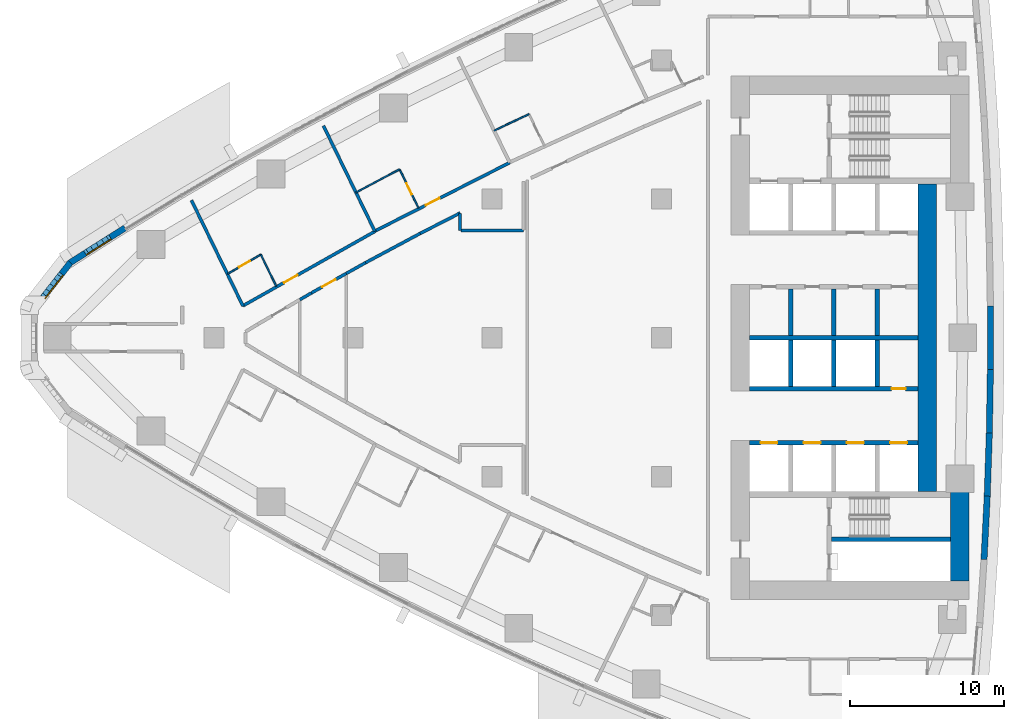
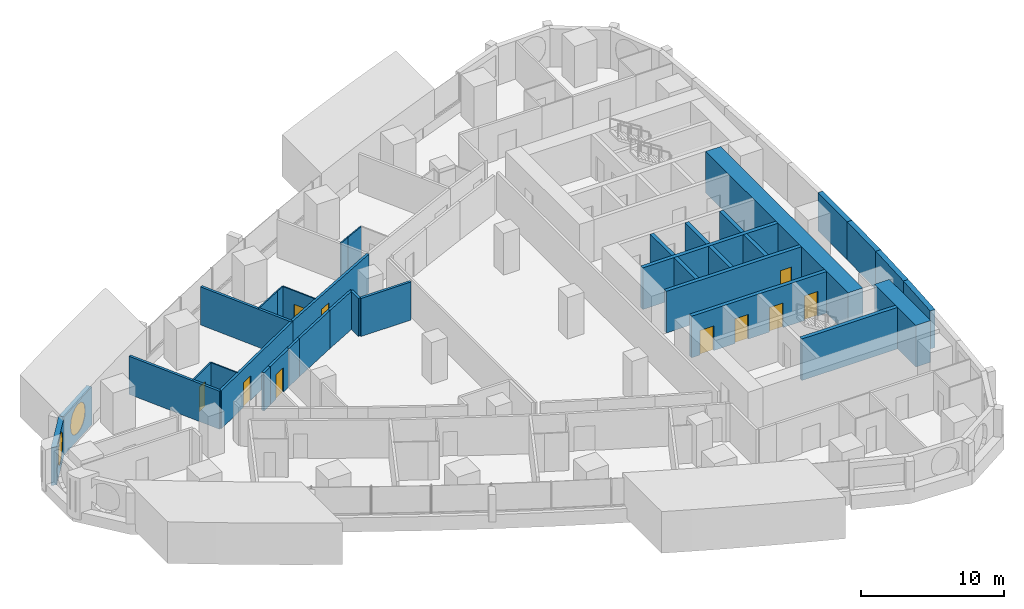
# One storey, part 11 of 18: 36 walls, 10 doors, 2 windows, 12 openings.
"""IFC4 building model written with IfcOpenShell, lengths in metres."""

from ifc_helpers import new_model, si_unit, direction, frame, frame_2d, origin, place, context, subcontext, project, spatial, polyline, rectangle, outline, extrude, material, layer, layer_set, type_object, element, fill, save


model = new_model("IFC4")

# Units and contexts
model_context = context("Model", 3, precision=1e-05, world=origin(), true_north=direction((0.0, 1.0)))
body_context = subcontext(model_context, "Body", "Model", "MODEL_VIEW")
ifc_project = project(units=[si_unit("LENGTHUNIT", "METRE"), si_unit("AREAUNIT", "SQUARE_METRE"), si_unit("VOLUMEUNIT", "CUBIC_METRE"), si_unit("PLANEANGLEUNIT", "RADIAN"), si_unit("MASSUNIT", "GRAM", prefix="KILO")], contexts=[model_context])

# Site, building, storey
site_placement = place(None, origin())
site = spatial("IfcSite", under=ifc_project, at=site_placement, CompositionType="ELEMENT")
building_placement = place(site_placement, origin())
building = spatial("IfcBuilding", under=site, at=building_placement, Name="Ostrand Prow Hotel Tower", CompositionType="ELEMENT")
storey_placement = place(building_placement, frame((0.0, 0.0, 57.35009765625)))
storey = spatial("IfcBuildingStorey", under=building, at=storey_placement, Name="L12", CompositionType="ELEMENT", Elevation=57.35009765625)

# Walls
ifc_material_1 = material(Name="Concrete C80/95", Category="concrete")
ifc_layer_1 = layer(ifc_material_1, 1.199951171875)
ifc_layer_set_1 = layer_set([ifc_layer_1], Name="Concrete C80/95")
wall_type_1 = type_object("IfcWallType", Name="Core wall 1200 C80/95", PredefinedType="SHEAR", material=ifc_layer_set_1)
wall_1_placement = place(storey_placement, frame((64.320068359375, -15.75, 0.0), z_axis=(0.0, 0.0, 1.0), x_axis=(0.0, 1.0, 0.0)))
element("IfcWall", 1, at=wall_1_placement, inside=storey, type_object=wall_type_1, Name="Core wall CW-E-S", PredefinedType="SHEAR", context=body_context, shape_type="SweptSolid", body=[
    extrude(rectangle(XDim=5.800048828125, YDim=1.199951171875, at=frame_2d((2.89990234375, 0.0))), origin(), (0.0, 0.0, 1.0), 3.5498046875),
])
wall_2_placement = place(storey_placement, frame((62.199951171875, -9.949951171875, 0.0), z_axis=(0.0, 0.0, 1.0), x_axis=(0.0, 1.0, 0.0)))
element("IfcWall", 2, at=wall_2_placement, inside=storey, type_object=wall_type_1, Name="Core wall CW-E-C", PredefinedType="SHEAR", context=body_context, shape_type="SweptSolid", body=[
    extrude(rectangle(XDim=19.89990234375, YDim=1.199951171875, at=frame_2d((9.949951171875, 0.0))), origin(), (0.0, 0.0, 1.0), 3.5498046875),
])
ifc_material_2 = material(Name="Concrete C80/95", Category="concrete")
ifc_layer_2 = layer(ifc_material_2, 0.300048828125)
ifc_layer_set_2 = layer_set([ifc_layer_2], Name="Concrete C80/95")
wall_type_2 = type_object("IfcWallType", Name="Core wall 300 C80/95", PredefinedType="SHEAR", material=ifc_layer_set_2)
wall_3_placement = place(storey_placement, frame((50.699951171875, 0.0, 0.0), z_axis=(0.0, 0.0, 1.0), x_axis=(1.0, 0.0, 0.0)))
element("IfcWall", 3, at=wall_3_placement, inside=storey, type_object=wall_type_2, Name="Core wall PW-C", PredefinedType="SHEAR", context=body_context, shape_type="SweptSolid", body=[
    extrude(rectangle(XDim=10.900146484375, YDim=0.300048828125, at=frame_2d((5.4501953125, 0.0))), origin(), (0.0, 0.0, 1.0), 3.5498046875),
])
for number, where, z_axis, x_axis, name in (
    (4, (53.35009765625, 0.14990234375, 0.0), (0.0, 0.0, 1.0), (0.0, 1.0, 0.0), "Core wall PW-R1-NB"),
    (5, (56.14990234375, 0.14990234375, 0.0), (0.0, 0.0, 1.0), (0.0, 1.0, 0.0), "Core wall PW-R2-NB"),
    (6, (58.949951171875, 0.14990234375, 0.0), (0.0, 0.0, 1.0), (0.0, 1.0, 0.0), "Core wall PW-R3-NB"),
):
    element("IfcWall", number, at=place(storey_placement, frame(where, z_axis=z_axis, x_axis=x_axis)), inside=storey, type_object=wall_type_2, Name=name, PredefinedType="SHEAR", context=body_context, shape_type="SweptSolid", body=[
        extrude(rectangle(XDim=3.0, YDim=0.300048828125, at=frame_2d((1.5, 0.0))), origin(), (0.0, 0.0, 1.0), 3.5498046875),
    ])

# Wall, opening, door
wall_4_placement = place(storey_placement, frame((50.699951171875, -3.300048828125, 0.0), z_axis=(0.0, 0.0, 1.0), x_axis=(1.0, 0.0, 0.0)))
wall_4 = element("IfcWall", 7, at=wall_4_placement, inside=storey, type_object=wall_type_2, Name="Core wall PW-L1-S", PredefinedType="SHEAR", context=body_context, shape_type="SweptSolid", body=[
    extrude(rectangle(XDim=10.900146484375, YDim=0.300048828125, at=frame_2d((5.4501953125, 0.0))), origin(), (0.0, 0.0, 1.0), 3.5498046875),
])
opening_1_placement = place(wall_4_placement, frame((9.199951171875, 0.0, 0.0)))
opening_1 = element("IfcOpeningElement", 8, at=opening_1_placement, cuts=wall_4, Name="Opening FD2", PredefinedType="OPENING", context=body_context, shape_type="SweptSolid", body=[
    extrude(rectangle(XDim=0.89990234375, YDim=2.10009765625, at=frame_2d((0.449951171875, 1.050048828125))), frame((0.0, 0.159912109375, 0.0), z_axis=(0.0, -1.0, 0.0), x_axis=(1.0, 0.0, 0.0)), (0.0, 0.0, 1.0), 0.320068359375),
])
ifc_material_3 = material(Name="Steel fire door", Category="steel")
door_type_1 = type_object("IfcDoorType", Name="Fire door 900 EI120", OperationType="SINGLE_SWING_LEFT", PredefinedType="DOOR", material=ifc_material_3)
door_1_placement = place(opening_1_placement, origin())
door_1 = element("IfcDoor", 9, at=door_1_placement, inside=storey, type_object=door_type_1, Name="DOOR", OperationType="SINGLE_SWING_LEFT", OverallHeight=2.10009765625, OverallWidth=0.89990234375, PredefinedType="DOOR", context=body_context, shape_type="SweptSolid", body=[
    extrude(rectangle(XDim=0.89990234375, YDim=2.10009765625, at=frame_2d((0.449951171875, 1.050048828125))), frame((0.0, 0.02490234375, 0.0), z_axis=(0.0, -1.0, 0.0), x_axis=(1.0, 0.0, 0.0)), (0.0, 0.0, 1.0), 0.050048828125),
])
fill(opening_1, door_1)

# Wall, openings, doors
wall_5_placement = place(storey_placement, frame((50.699951171875, -6.800048828125, 0.0), z_axis=(0.0, 0.0, 1.0), x_axis=(1.0, 0.0, 0.0)))
wall_5 = element("IfcWall", 10, at=wall_5_placement, inside=storey, type_object=wall_type_2, Name="Core wall PW-L2-S", PredefinedType="SHEAR", context=body_context, shape_type="SweptSolid", body=[
    extrude(rectangle(XDim=10.900146484375, YDim=0.300048828125, at=frame_2d((5.4501953125, 0.0))), origin(), (0.0, 0.0, 1.0), 3.5498046875),
])
opening_2_placement = place(wall_5_placement, frame((0.699951171875, 0.0, 0.0)))
opening_2 = element("IfcOpeningElement", 11, at=opening_2_placement, cuts=wall_5, Name="Opening LD", PredefinedType="OPENING", context=body_context, shape_type="SweptSolid", body=[
    extrude(rectangle(XDim=1.10009765625, YDim=2.10009765625, at=frame_2d((0.550048828125, 1.050048828125))), frame((0.0, 0.159912109375, 0.0), z_axis=(0.0, -1.0, 0.0), x_axis=(1.0, 0.0, 0.0)), (0.0, 0.0, 1.0), 0.320068359375),
])
opening_3_placement = place(wall_5_placement, frame((3.5, 0.0, 0.0)))
opening_3 = element("IfcOpeningElement", 12, at=opening_3_placement, cuts=wall_5, Name="Opening LD", PredefinedType="OPENING", context=body_context, shape_type="SweptSolid", body=[
    extrude(rectangle(XDim=1.10009765625, YDim=2.10009765625, at=frame_2d((0.550048828125, 1.050048828125))), frame((0.0, 0.159912109375, 0.0), z_axis=(0.0, -1.0, 0.0), x_axis=(1.0, 0.0, 0.0)), (0.0, 0.0, 1.0), 0.320068359375),
])
opening_4_placement = place(wall_5_placement, frame((6.300048828125, 0.0, 0.0)))
opening_4 = element("IfcOpeningElement", 13, at=opening_4_placement, cuts=wall_5, Name="Opening LD", PredefinedType="OPENING", context=body_context, shape_type="SweptSolid", body=[
    extrude(rectangle(XDim=1.10009765625, YDim=2.10009765625, at=frame_2d((0.550048828125, 1.050048828125))), frame((0.0, 0.159912109375, 0.0), z_axis=(0.0, -1.0, 0.0), x_axis=(1.0, 0.0, 0.0)), (0.0, 0.0, 1.0), 0.320068359375),
])
opening_5_placement = place(wall_5_placement, frame((9.10009765625, 0.0, 0.0)))
opening_5 = element("IfcOpeningElement", 14, at=opening_5_placement, cuts=wall_5, Name="Opening LD", PredefinedType="OPENING", context=body_context, shape_type="SweptSolid", body=[
    extrude(rectangle(XDim=1.10009765625, YDim=2.10009765625, at=frame_2d((0.550048828125, 1.050048828125))), frame((0.0, 0.159912109375, 0.0), z_axis=(0.0, -1.0, 0.0), x_axis=(1.0, 0.0, 0.0)), (0.0, 0.0, 1.0), 0.320068359375),
])
ifc_material_4 = material(Name="Stainless steel door", Category="steel")
door_type_2 = type_object("IfcDoorType", Name="Lift landing door 1100", OperationType="DOUBLE_DOOR_SLIDING", PredefinedType="DOOR", material=ifc_material_4)
door_2_placement = place(opening_2_placement, origin())
door_2 = element("IfcDoor", 15, at=door_2_placement, inside=storey, type_object=door_type_2, Name="LIFT LANDING DOOR", OperationType="DOUBLE_DOOR_SLIDING", OverallHeight=2.10009765625, OverallWidth=1.10009765625, PredefinedType="DOOR", context=body_context, shape_type="SweptSolid", body=[
    extrude(rectangle(XDim=1.10009765625, YDim=2.10009765625, at=frame_2d((0.550048828125, 1.050048828125))), frame((0.0, 0.02490234375, 0.0), z_axis=(0.0, -1.0, 0.0), x_axis=(1.0, 0.0, 0.0)), (0.0, 0.0, 1.0), 0.050048828125),
])
fill(opening_2, door_2)
door_3_placement = place(opening_3_placement, origin())
door_3 = element("IfcDoor", 16, at=door_3_placement, inside=storey, type_object=door_type_2, Name="LIFT LANDING DOOR", OperationType="DOUBLE_DOOR_SLIDING", OverallHeight=2.10009765625, OverallWidth=1.10009765625, PredefinedType="DOOR", context=body_context, shape_type="SweptSolid", body=[
    extrude(rectangle(XDim=1.10009765625, YDim=2.10009765625, at=frame_2d((0.550048828125, 1.050048828125))), frame((0.0, 0.02490234375, 0.0), z_axis=(0.0, -1.0, 0.0), x_axis=(1.0, 0.0, 0.0)), (0.0, 0.0, 1.0), 0.050048828125),
])
fill(opening_3, door_3)
door_4_placement = place(opening_4_placement, origin())
door_4 = element("IfcDoor", 17, at=door_4_placement, inside=storey, type_object=door_type_2, Name="LIFT LANDING DOOR", OperationType="DOUBLE_DOOR_SLIDING", OverallHeight=2.10009765625, OverallWidth=1.10009765625, PredefinedType="DOOR", context=body_context, shape_type="SweptSolid", body=[
    extrude(rectangle(XDim=1.10009765625, YDim=2.10009765625, at=frame_2d((0.550048828125, 1.050048828125))), frame((0.0, 0.02490234375, 0.0), z_axis=(0.0, -1.0, 0.0), x_axis=(1.0, 0.0, 0.0)), (0.0, 0.0, 1.0), 0.050048828125),
])
fill(opening_4, door_4)
door_5_placement = place(opening_5_placement, origin())
door_5 = element("IfcDoor", 18, at=door_5_placement, inside=storey, type_object=door_type_2, Name="LIFT LANDING DOOR", OperationType="DOUBLE_DOOR_SLIDING", OverallHeight=2.10009765625, OverallWidth=1.10009765625, PredefinedType="DOOR", context=body_context, shape_type="SweptSolid", body=[
    extrude(rectangle(XDim=1.10009765625, YDim=2.10009765625, at=frame_2d((0.550048828125, 1.050048828125))), frame((0.0, 0.02490234375, 0.0), z_axis=(0.0, -1.0, 0.0), x_axis=(1.0, 0.0, 0.0)), (0.0, 0.0, 1.0), 0.050048828125),
])
fill(opening_5, door_5)

# Walls
for number, where, z_axis, x_axis, name in (
    (19, (53.35009765625, -3.14990234375, 0.0), (0.0, 0.0, 1.0), (0.0, 1.0, 0.0), "Core wall PW-R1-SB"),
    (20, (56.14990234375, -3.14990234375, 0.0), (0.0, 0.0, 1.0), (0.0, 1.0, 0.0), "Core wall PW-R2-SB"),
    (21, (58.949951171875, -3.14990234375, 0.0), (0.0, 0.0, 1.0), (0.0, 1.0, 0.0), "Core wall PW-R3-SB"),
):
    element("IfcWall", number, at=place(storey_placement, frame(where, z_axis=z_axis, x_axis=x_axis)), inside=storey, type_object=wall_type_2, Name=name, PredefinedType="SHEAR", context=body_context, shape_type="SweptSolid", body=[
        extrude(rectangle(XDim=3.0, YDim=0.300048828125, at=frame_2d((1.5, 0.0))), origin(), (0.0, 0.0, 1.0), 3.5498046875),
    ])
wall_6_placement = place(storey_placement, frame((56.0, -13.050048828125, 0.0), z_axis=(0.0, 0.0, 1.0), x_axis=(1.0, 0.0, 0.0)))
element("IfcWall", 22, at=wall_6_placement, inside=storey, type_object=wall_type_2, Name="Core wall PW-ST2R", PredefinedType="SHEAR", context=body_context, shape_type="SweptSolid", body=[
    extrude(rectangle(XDim=7.719970703125, YDim=0.300048828125, at=frame_2d((3.85986328125, 0.0))), origin(), (0.0, 0.0, 1.0), 3.5498046875),
])

# Wall, opening, door
ifc_material_5 = material(Name="Plasterboard partition")
ifc_layer_3 = layer(ifc_material_5, 0.10009765625)
ifc_layer_set_3 = layer_set([ifc_layer_3], Name="Plasterboard partition")
wall_type_3 = type_object("IfcWallType", Name="Partition 100 bathroom wall", PredefinedType="PARTITIONING", material=ifc_layer_set_3)
wall_7_placement = place(storey_placement, frame((16.898193359375, 4.1435546875, 0.0), z_axis=(0.0, 0.0, 1.0), x_axis=(0.863707305865, 0.503993739837, 0.0)))
wall_7 = element("IfcWall", 23, at=wall_7_placement, inside=storey, type_object=wall_type_3, Name="BATHROOM WALL", PredefinedType="PARTITIONING", context=body_context, shape_type="SweptSolid", body=[
    extrude(rectangle(XDim=2.473876953125, YDim=0.10009765625, at=frame_2d((1.23681640625, 0.0))), origin(), (0.0, 0.0, 1.0), 3.25),
])
opening_6_placement = place(wall_7_placement, frame((0.85009765625, 0.0, 0.0)))
opening_6 = element("IfcOpeningElement", 24, at=opening_6_placement, cuts=wall_7, Name="Opening D2", PredefinedType="OPENING", context=body_context, shape_type="SweptSolid", body=[
    extrude(rectangle(XDim=0.800048828125, YDim=2.10009765625, at=frame_2d((0.39990234375, 1.050048828125))), frame((0.0, 0.06005859375, 0.0), z_axis=(0.0, -1.0, 0.0), x_axis=(1.0, 0.0, 0.0)), (0.0, 0.0, 1.0), 0.1201171875),
])
ifc_material_6 = material(Name="Timber door leaf", Category="wood")
door_type_3 = type_object("IfcDoorType", Name="Bathroom door 800", OperationType="SINGLE_SWING_LEFT", PredefinedType="DOOR", material=ifc_material_6)
door_6_placement = place(opening_6_placement, origin())
door_6 = element("IfcDoor", 25, at=door_6_placement, inside=storey, type_object=door_type_3, Name="DOOR", OperationType="SINGLE_SWING_LEFT", OverallHeight=2.10009765625, OverallWidth=0.800048828125, PredefinedType="DOOR", context=body_context, shape_type="SweptSolid", body=[
    extrude(rectangle(XDim=0.800048828125, YDim=2.10009765625, at=frame_2d((0.39990234375, 1.050048828125))), frame((0.0, 0.02490234375, 0.0), z_axis=(0.0, -1.0, 0.0), x_axis=(1.0, 0.0, 0.0)), (0.0, 0.0, 1.0), 0.050048828125),
])
fill(opening_6, door_6)

# Walls
wall_8_placement = place(storey_placement, frame((19.03515625, 5.390380859375, 0.0), z_axis=(0.0, 0.0, 1.0), x_axis=(0.438122322582, -0.898915363344, 0.0)))
element("IfcWall", 26, at=wall_8_placement, inside=storey, type_object=wall_type_3, Name="BATHROOM WALL", PredefinedType="PARTITIONING", context=body_context, shape_type="SweptSolid", body=[
    extrude(rectangle(XDim=2.282958984375, YDim=0.10009765625, at=frame_2d((1.1416015625, 0.0))), origin(), (0.0, 0.0, 1.0), 3.25),
])
wall_9_placement = place(storey_placement, frame((25.197509765625, 9.40869140625, 0.0), z_axis=(0.0, 0.0, 1.0), x_axis=(0.881658684569, 0.471887660279, 0.0)))
element("IfcWall", 27, at=wall_9_placement, inside=storey, type_object=wall_type_3, Name="BATHROOM WALL", PredefinedType="PARTITIONING", context=body_context, shape_type="SweptSolid", body=[
    extrude(rectangle(XDim=2.45654296875, YDim=0.10009765625, at=frame_2d((1.228271484375, 0.0))), origin(), (0.0, 0.0, 1.0), 3.25),
])
wall_10_placement = place(storey_placement, frame((27.36328125, 10.56787109375, 0.0), z_axis=(0.0, 0.0, 1.0), x_axis=(0.890195653003, 0.455578422858, 0.0)))
element("IfcWall", 28, at=wall_10_placement, inside=storey, type_object=wall_type_3, Name="BATHROOM WALL", PredefinedType="PARTITIONING", context=body_context, shape_type="SweptSolid", body=[
    extrude(rectangle(XDim=0.745361328125, YDim=0.10009765625, at=frame_2d((0.37255859375, 0.0))), origin(), (0.0, 0.0, 1.0), 3.25),
])

# Wall, opening, door
wall_11_placement = place(storey_placement, frame((28.02685546875, 10.907470703125, 0.0), z_axis=(0.0, 0.0, 1.0), x_axis=(0.438189818179, -0.898882463531, 0.0)))
wall_11 = element("IfcWall", 29, at=wall_11_placement, inside=storey, type_object=wall_type_3, Name="BATHROOM WALL", PredefinedType="PARTITIONING", context=body_context, shape_type="SweptSolid", body=[
    extrude(rectangle(XDim=2.77734375, YDim=0.10009765625, at=frame_2d((1.388671875, 0.0))), origin(), (0.0, 0.0, 1.0), 3.25),
])
opening_7_placement = place(wall_11_placement, frame((1.0, 0.0, 0.0)))
opening_7 = element("IfcOpeningElement", 30, at=opening_7_placement, cuts=wall_11, Name="Opening D2", PredefinedType="OPENING", context=body_context, shape_type="SweptSolid", body=[
    extrude(rectangle(XDim=0.800048828125, YDim=2.10009765625, at=frame_2d((0.39990234375, 1.050048828125))), frame((0.0, 0.06005859375, 0.0), z_axis=(0.0, -1.0, 0.0), x_axis=(1.0, 0.0, 0.0)), (0.0, 0.0, 1.0), 0.1201171875),
])
door_7_placement = place(opening_7_placement, origin())
door_7 = element("IfcDoor", 31, at=door_7_placement, inside=storey, type_object=door_type_3, Name="DOOR", OperationType="SINGLE_SWING_LEFT", OverallHeight=2.10009765625, OverallWidth=0.800048828125, PredefinedType="DOOR", context=body_context, shape_type="SweptSolid", body=[
    extrude(rectangle(XDim=0.800048828125, YDim=2.10009765625, at=frame_2d((0.39990234375, 1.050048828125))), frame((0.0, 0.02490234375, 0.0), z_axis=(0.0, -1.0, 0.0), x_axis=(1.0, 0.0, 0.0)), (0.0, 0.0, 1.0), 0.050048828125),
])
fill(opening_7, door_7)

# Walls
wall_12_placement = place(storey_placement, frame((34.1484375, 13.41162109375, 0.0), z_axis=(0.0, 0.0, 1.0), x_axis=(0.89828999443, 0.43940310184, 0.0)))
element("IfcWall", 32, at=wall_12_placement, inside=storey, type_object=wall_type_3, Name="BATHROOM WALL", PredefinedType="PARTITIONING", context=body_context, shape_type="SweptSolid", body=[
    extrude(rectangle(XDim=0.839599609375, YDim=0.10009765625, at=frame_2d((0.419921875, 0.0))), origin(), (0.0, 0.0, 1.0), 3.25),
])
wall_13_placement = place(storey_placement, frame((34.902587890625, 13.780517578125, 0.0), z_axis=(0.0, 0.0, 1.0), x_axis=(0.906434605418, 0.422346192242, 0.0)))
element("IfcWall", 33, at=wall_13_placement, inside=storey, type_object=wall_type_3, Name="BATHROOM WALL", PredefinedType="PARTITIONING", context=body_context, shape_type="SweptSolid", body=[
    extrude(rectangle(XDim=1.66064453125, YDim=0.10009765625, at=frame_2d((0.830322265625, 0.0))), origin(), (0.0, 0.0, 1.0), 3.25),
])

# Wall, opening, door
ifc_material_7 = material(Name="Plasterboard partition")
ifc_layer_4 = layer(ifc_material_7, 0.199951171875)
ifc_layer_set_4 = layer_set([ifc_layer_4], Name="Plasterboard partition")
wall_type_4 = type_object("IfcWallType", Name="Partition 200 corridor wall", PredefinedType="PARTITIONING", material=ifc_layer_set_4)
wall_14_placement = place(storey_placement, frame((17.87353515625, 2.068115234375, 0.0), z_axis=(0.0, 0.0, 1.0), x_axis=(0.871078318876, 0.491144136057, 0.0)))
wall_14 = element("IfcWall", 34, at=wall_14_placement, inside=storey, type_object=wall_type_4, Name="CORRIDOR WALL", PredefinedType="PARTITIONING", context=body_context, shape_type="SweptSolid", body=[
    extrude(rectangle(XDim=9.8173828125, YDim=0.199951171875, at=frame_2d((4.90869140625, 0.0))), origin(), (0.0, 0.0, 1.0), 3.25),
])
opening_8_placement = place(wall_14_placement, frame((3.050048828125, 0.0, 0.0)))
opening_8 = element("IfcOpeningElement", 35, at=opening_8_placement, cuts=wall_14, Name="Opening D1R", PredefinedType="OPENING", context=body_context, shape_type="SweptSolid", body=[
    extrude(rectangle(XDim=1.0, YDim=2.10009765625, at=frame_2d((0.5, 1.050048828125))), frame((0.0, 0.10986328125, 0.0), z_axis=(0.0, -1.0, 0.0), x_axis=(1.0, 0.0, 0.0)), (0.0, 0.0, 1.0), 0.219970703125),
])
ifc_material_8 = material(Name="Timber door leaf", Category="wood")
door_type_4 = type_object("IfcDoorType", Name="Guest room door 1000 right", OperationType="SINGLE_SWING_RIGHT", PredefinedType="DOOR", material=ifc_material_8)
door_8_placement = place(opening_8_placement, origin())
door_8 = element("IfcDoor", 36, at=door_8_placement, inside=storey, type_object=door_type_4, Name="DOOR", OperationType="SINGLE_SWING_RIGHT", OverallHeight=2.10009765625, OverallWidth=1.0, PredefinedType="DOOR", context=body_context, shape_type="SweptSolid", body=[
    extrude(rectangle(XDim=1.0, YDim=2.10009765625, at=frame_2d((0.5, 1.050048828125))), frame((0.0, 0.02490234375, 0.0), z_axis=(0.0, -1.0, 0.0), x_axis=(1.0, 0.0, 0.0)), (0.0, 0.0, 1.0), 0.050048828125),
])
fill(opening_8, door_8)

wall_15_placement = place(storey_placement, frame((26.41650390625, 6.907958984375, 0.0), z_axis=(0.0, 0.0, 1.0), x_axis=(0.891700643128, 0.452625632334, 0.0)))
wall_15 = element("IfcWall", 37, at=wall_15_placement, inside=storey, type_object=wall_type_4, Name="CORRIDOR WALL", PredefinedType="PARTITIONING", context=body_context, shape_type="SweptSolid", body=[
    extrude(rectangle(XDim=9.80126953125, YDim=0.199951171875, at=frame_2d((4.900634765625, 0.0))), origin(), (0.0, 0.0, 1.0), 3.25),
])
opening_9_placement = place(wall_15_placement, frame((3.699951171875, 0.0, 0.0)))
opening_9 = element("IfcOpeningElement", 38, at=opening_9_placement, cuts=wall_15, Name="Opening D1R", PredefinedType="OPENING", context=body_context, shape_type="SweptSolid", body=[
    extrude(rectangle(XDim=1.0, YDim=2.10009765625, at=frame_2d((0.5, 1.050048828125))), frame((0.0, 0.10986328125, 0.0), z_axis=(0.0, -1.0, 0.0), x_axis=(1.0, 0.0, 0.0)), (0.0, 0.0, 1.0), 0.219970703125),
])
door_9_placement = place(opening_9_placement, origin())
door_9 = element("IfcDoor", 39, at=door_9_placement, inside=storey, type_object=door_type_4, Name="DOOR", OperationType="SINGLE_SWING_RIGHT", OverallHeight=2.10009765625, OverallWidth=1.0, PredefinedType="DOOR", context=body_context, shape_type="SweptSolid", body=[
    extrude(rectangle(XDim=1.0, YDim=2.10009765625, at=frame_2d((0.5, 1.050048828125))), frame((0.0, 0.02490234375, 0.0), z_axis=(0.0, -1.0, 0.0), x_axis=(1.0, 0.0, 0.0)), (0.0, 0.0, 1.0), 0.050048828125),
])
fill(opening_9, door_9)

wall_16_placement = place(storey_placement, frame((22.31201171875, 2.903076171875, 0.0), z_axis=(0.0, 0.0, 1.0), x_axis=(0.872797752414, 0.488082045748, 0.0)))
wall_16 = element("IfcWall", 40, at=wall_16_placement, inside=storey, type_object=wall_type_4, Name="CORRIDOR WALL", PredefinedType="PARTITIONING", context=body_context, shape_type="SweptSolid", body=[
    extrude(rectangle(XDim=2.58154296875, YDim=0.199951171875, at=frame_2d((1.290771484375, 0.0))), origin(), (0.0, 0.0, 1.0), 3.25),
])
opening_10_placement = place(wall_16_placement, frame((0.790771484375, 0.0, 0.0)))
opening_10 = element("IfcOpeningElement", 41, at=opening_10_placement, cuts=wall_16, Name="Opening D1R", PredefinedType="OPENING", context=body_context, shape_type="SweptSolid", body=[
    extrude(rectangle(XDim=1.0, YDim=2.10009765625, at=frame_2d((0.5, 1.050048828125))), frame((0.0, 0.10986328125, 0.0), z_axis=(0.0, -1.0, 0.0), x_axis=(1.0, 0.0, 0.0)), (0.0, 0.0, 1.0), 0.219970703125),
])
door_10_placement = place(opening_10_placement, origin())
door_10 = element("IfcDoor", 42, at=door_10_placement, inside=storey, type_object=door_type_4, Name="DOOR", OperationType="SINGLE_SWING_RIGHT", OverallHeight=2.10009765625, OverallWidth=1.0, PredefinedType="DOOR", context=body_context, shape_type="SweptSolid", body=[
    extrude(rectangle(XDim=1.0, YDim=2.10009765625, at=frame_2d((0.5, 1.050048828125))), frame((0.0, 0.02490234375, 0.0), z_axis=(0.0, -1.0, 0.0), x_axis=(1.0, 0.0, 0.0)), (0.0, 0.0, 1.0), 0.050048828125),
])
fill(opening_10, door_10)

# Walls
wall_17_placement = place(storey_placement, frame((21.565185546875, 2.46728515625, 0.0), z_axis=(0.0, 0.0, 1.0), x_axis=(0.863707207562, 0.503993908303, 0.0)))
element("IfcWall", 43, at=wall_17_placement, inside=storey, type_object=wall_type_4, Name="CORRIDOR WALL", PredefinedType="PARTITIONING", context=body_context, shape_type="SweptSolid", body=[
    extrude(rectangle(XDim=0.86474609375, YDim=0.199951171875, at=frame_2d((0.432373046875, 0.0))), origin(), (0.0, 0.0, 1.0), 3.25),
])
wall_18_placement = place(storey_placement, frame((29.357421875, 6.758056640625, 0.0), z_axis=(0.0, 0.0, 1.0), x_axis=(0.890213377055, 0.455543788579, 0.0)))
element("IfcWall", 44, at=wall_18_placement, inside=storey, type_object=wall_type_4, Name="CORRIDOR WALL", PredefinedType="PARTITIONING", context=body_context, shape_type="SweptSolid", body=[
    extrude(rectangle(XDim=2.912353515625, YDim=0.199951171875, at=frame_2d((1.4560546875, 0.0))), origin(), (0.0, 0.0, 1.0), 3.25),
])
wall_19_placement = place(storey_placement, frame((24.565185546875, 4.1630859375, 0.0), z_axis=(0.0, 0.0, 1.0), x_axis=(0.872804855849, 0.488069343031, 0.0)))
element("IfcWall", 45, at=wall_19_placement, inside=storey, type_object=wall_type_4, Name="CORRIDOR WALL", PredefinedType="PARTITIONING", context=body_context, shape_type="SweptSolid", body=[
    extrude(rectangle(XDim=1.43408203125, YDim=0.199951171875, at=frame_2d((0.717041015625, 0.0))), origin(), (0.0, 0.0, 1.0), 3.25),
])
wall_20_placement = place(storey_placement, frame((25.81689453125, 4.863037109375, 0.0), z_axis=(0.0, 0.0, 1.0), x_axis=(0.881655245922, 0.471894084874, 0.0)))
element("IfcWall", 46, at=wall_20_placement, inside=storey, type_object=wall_type_4, Name="CORRIDOR WALL", PredefinedType="PARTITIONING", context=body_context, shape_type="SweptSolid", body=[
    extrude(rectangle(XDim=4.015869140625, YDim=0.199951171875, at=frame_2d((2.0078125, 0.0))), origin(), (0.0, 0.0, 1.0), 3.25),
])
wall_21_placement = place(storey_placement, frame((31.945068359375, 8.037353515625, 0.0), z_axis=(0.0, 0.0, 1.0), x_axis=(0.003129875123, -0.999995101929, 0.0)))
element("IfcWall", 47, at=wall_21_placement, inside=storey, type_object=wall_type_4, Name="CORRIDOR WALL", PredefinedType="PARTITIONING", context=body_context, shape_type="SweptSolid", body=[
    extrude(rectangle(XDim=1.092041015625, YDim=0.199951171875, at=frame_2d((0.5458984375, 0.0))), origin(), (0.0, 0.0, 1.0), 3.25),
])
wall_22_placement = place(storey_placement, frame((31.988525390625, 6.9453125, 0.0), z_axis=(0.0, 0.0, 1.0), x_axis=(0.999999998196, 6.0074492e-05, 0.0)))
element("IfcWall", 48, at=wall_22_placement, inside=storey, type_object=wall_type_4, Name="CORRIDOR WALL", PredefinedType="PARTITIONING", context=body_context, shape_type="SweptSolid", body=[
    extrude(rectangle(XDim=4.06396484375, YDim=0.199951171875, at=frame_2d((2.031982421875, 0.0))), origin(), (0.0, 0.0, 1.0), 3.25),
])
ifc_material_9 = material(Name="Plasterboard partition")
ifc_layer_5 = layer(ifc_material_9, 0.199951171875)
ifc_layer_set_5 = layer_set([ifc_layer_5], Name="Plasterboard partition")
wall_type_5 = type_object("IfcWallType", Name="Partition 200 key partition", PredefinedType="PARTITIONING", material=ifc_layer_set_5)
wall_23_placement = place(storey_placement, frame((17.88232421875, 2.050048828125, 0.0), z_axis=(0.0, 0.0, 1.0), x_axis=(-0.438213564788, 0.898870887078, 0.0)))
element("IfcWall", 49, at=wall_23_placement, inside=storey, type_object=wall_type_5, Name="KEY PARTITION", PredefinedType="PARTITIONING", context=body_context, shape_type="SweptSolid", body=[
    extrude(rectangle(XDim=7.62548828125, YDim=0.199951171875, at=frame_2d((3.812744140625, 0.0))), origin(), (0.0, 0.0, 1.0), 3.25),
])
wall_24_placement = place(storey_placement, frame((26.42529296875, 6.889892578125, 0.0), z_axis=(0.0, 0.0, 1.0), x_axis=(-0.438202895602, 0.898876088394, 0.0)))
element("IfcWall", 50, at=wall_24_placement, inside=storey, type_object=wall_type_5, Name="KEY PARTITION", PredefinedType="PARTITIONING", context=body_context, shape_type="SweptSolid", body=[
    extrude(rectangle(XDim=7.60546875, YDim=0.199951171875, at=frame_2d((3.802734375, 0.0))), origin(), (0.0, 0.0, 1.0), 3.25),
])

# Wall, opening, window
ifc_material_10 = material(Name="Precast concrete C40/50", Category="concrete")
ifc_layer_6 = layer(ifc_material_10, 0.39990234375)
ifc_layer_set_6 = layer_set([ifc_layer_6], Name="Precast concrete C40/50")
wall_type_6 = type_object("IfcWallType", Name="Stone-faced precast wall 400 mm", PredefinedType="NOTDEFINED", material=ifc_layer_set_6)
wall_25_placement = place(storey_placement, frame((10.24169921875, 7.116455078125, 0.0), z_axis=(0.0, 0.0, 1.0), x_axis=(-0.844551578623, -0.535474211372, 0.0)))
wall_25 = element("IfcWall", 51, at=wall_25_placement, inside=storey, type_object=wall_type_6, Name="Stone-faced wall prow 1", PredefinedType="NOTDEFINED", context=body_context, shape_type="SweptSolid", body=[
    extrude(outline(polyline([(0.0, -0.199951171875), (4.23046875, -0.199951171875), (4.16162109375, 0.199951171875), (0.0, 0.199951171875), (0.0, -0.199951171875)])), origin(), (0.0, 0.0, 1.0), 3.25),
])
opening_11_placement = place(wall_25_placement, frame((0.998046875, 0.0, 0.60009765625)))
opening_11 = element("IfcOpeningElement", 52, at=opening_11_placement, cuts=wall_25, Name="Opening WP1", PredefinedType="OPENING", context=body_context, shape_type="SweptSolid", body=[
    extrude(outline(polyline([(0.0, 1.35009765625), (0.083740234375, 1.77099609375), (0.322265625, 2.127685546875), (0.678955078125, 2.3662109375), (1.10009765625, 2.449951171875), (1.52099609375, 2.3662109375), (1.877685546875, 2.127685546875), (2.1162109375, 1.77099609375), (2.199951171875, 1.35009765625), (2.199951171875, 1.10009765625), (2.1162109375, 0.678955078125), (1.877685546875, 0.322265625), (1.52099609375, 0.083740234375), (1.10009765625, 0.0), (0.678955078125, 0.083740234375), (0.322265625, 0.322265625), (0.083740234375, 0.678955078125), (0.0, 1.099853515625), (0.0, 1.35009765625)])), frame((0.0, 0.2099609375, 0.0), z_axis=(0.0, -1.0, 0.0), x_axis=(1.0, 0.0, 0.0)), (0.0, 0.0, 1.0), 0.419921875),
])
ifc_material_11 = material(Name="Insulated glass in bronze frame", Category="glass")
window_type = type_object("IfcWindowType", Name="Round-ended prow window 2200x2450", PartitioningType="SINGLE_PANEL", PredefinedType="WINDOW", material=ifc_material_11)
window_1_placement = place(opening_11_placement, origin())
window_1 = element("IfcWindow", 53, at=window_1_placement, inside=storey, type_object=window_type, Name="Window prow 1.1", OverallHeight=2.449951171875, OverallWidth=2.199951171875, PartitioningType="SINGLE_PANEL", PredefinedType="WINDOW", context=body_context, shape_type="SweptSolid", body=[
    extrude(outline(polyline([(0.0, 1.35009765625), (0.083740234375, 1.77099609375), (0.322265625, 2.127685546875), (0.678955078125, 2.3662109375), (1.10009765625, 2.449951171875), (1.52099609375, 2.3662109375), (1.877685546875, 2.127685546875), (2.1162109375, 1.77099609375), (2.199951171875, 1.35009765625), (2.199951171875, 1.10009765625), (2.1162109375, 0.678955078125), (1.877685546875, 0.322265625), (1.52099609375, 0.083740234375), (1.10009765625, 0.0), (0.678955078125, 0.083740234375), (0.322265625, 0.322265625), (0.083740234375, 0.678955078125), (0.0, 1.099853515625), (0.0, 1.35009765625)])), frame((0.0, 0.169921875, 0.0), z_axis=(0.0, -1.0, 0.0), x_axis=(1.0, 0.0, 0.0)), (0.0, 0.0, 1.0), 0.06005859375),
])
fill(opening_11, window_1)

wall_26_placement = place(storey_placement, frame((6.697998046875, 4.86962890625, 0.0), z_axis=(0.0, 0.0, 1.0), x_axis=(-0.616586647779, -0.787287054245, 0.0)))
wall_26 = element("IfcWall", 54, at=wall_26_placement, inside=storey, type_object=wall_type_6, Name="Stone-faced wall prow 2", PredefinedType="NOTDEFINED", context=body_context, shape_type="SweptSolid", body=[
    extrude(outline(polyline([(-0.034423828125, -0.199951171875), (3.85205078125, -0.199951171875), (3.7138671875, 0.199951171875), (0.034423828125, 0.199951171875), (-0.034423828125, -0.199951171875)])), origin(), (0.0, 0.0, 1.0), 3.25),
])
opening_12_placement = place(wall_26_placement, frame((0.79150390625, 0.0, 0.60009765625)))
opening_12 = element("IfcOpeningElement", 55, at=opening_12_placement, cuts=wall_26, Name="Opening WP1", PredefinedType="OPENING", context=body_context, shape_type="SweptSolid", body=[
    extrude(outline(polyline([(0.0, 1.35009765625), (0.083740234375, 1.77099609375), (0.322265625, 2.127685546875), (0.678955078125, 2.3662109375), (1.10009765625, 2.449951171875), (1.52099609375, 2.3662109375), (1.877685546875, 2.127685546875), (2.1162109375, 1.77099609375), (2.199951171875, 1.35009765625), (2.199951171875, 1.10009765625), (2.1162109375, 0.678955078125), (1.877685546875, 0.322265625), (1.52099609375, 0.083740234375), (1.10009765625, 0.0), (0.678955078125, 0.083740234375), (0.322265625, 0.322265625), (0.083740234375, 0.678955078125), (0.0, 1.099853515625), (0.0, 1.35009765625)])), frame((0.0, 0.2099609375, 0.0), z_axis=(0.0, -1.0, 0.0), x_axis=(1.0, 0.0, 0.0)), (0.0, 0.0, 1.0), 0.419921875),
])
window_2_placement = place(opening_12_placement, origin())
window_2 = element("IfcWindow", 56, at=window_2_placement, inside=storey, type_object=window_type, Name="Window prow 2.1", OverallHeight=2.449951171875, OverallWidth=2.199951171875, PartitioningType="SINGLE_PANEL", PredefinedType="WINDOW", context=body_context, shape_type="SweptSolid", body=[
    extrude(outline(polyline([(0.0, 1.35009765625), (0.083740234375, 1.77099609375), (0.322265625, 2.127685546875), (0.678955078125, 2.3662109375), (1.10009765625, 2.449951171875), (1.52099609375, 2.3662109375), (1.877685546875, 2.127685546875), (2.1162109375, 1.77099609375), (2.199951171875, 1.35009765625), (2.199951171875, 1.10009765625), (2.1162109375, 0.678955078125), (1.877685546875, 0.322265625), (1.52099609375, 0.083740234375), (1.10009765625, 0.0), (0.678955078125, 0.083740234375), (0.322265625, 0.322265625), (0.083740234375, 0.678955078125), (0.0, 1.099853515625), (0.0, 1.35009765625)])), frame((0.0, 0.169921875, 0.0), z_axis=(0.0, -1.0, 0.0), x_axis=(1.0, 0.0, 0.0)), (0.0, 0.0, 1.0), 0.06005859375),
])
fill(opening_12, window_2)

# Walls
for number, where, z_axis, x_axis, name in (
    (57, (65.878173828125, -14.359619140625, 0.0), (0.0, 0.0, 1.0), (0.050314326423, 0.998733432181, 0.0), "Stone-faced wall back 7"),
    (58, (66.084716796875, -10.259765625, 0.0), (0.0, 0.0, 1.0), (0.033542554696, 0.999437290191, 0.0), "Stone-faced wall back 8"),
    (59, (66.222412109375, -6.156982421875, 0.0), (0.0, 0.0, 1.0), (0.016830829972, 0.999858351549, 0.0), "Stone-faced wall back 9"),
    (60, (66.29150390625, -2.052490234375, 0.0), (0.0, 0.0, 1.0), (0.0, 1.0, 0.0), "Stone-faced wall back 10"),
):
    element("IfcWall", number, at=place(storey_placement, frame(where, z_axis=z_axis, x_axis=x_axis)), inside=storey, type_object=wall_type_6, Name=name, PredefinedType="NOTDEFINED", context=body_context, shape_type="SweptSolid", body=[
        extrude(outline(polyline([(-0.001708984375, -0.199951171875), (4.106689453125, -0.199951171875), (4.103271484375, 0.199951171875), (0.001708984375, 0.199951171875), (-0.001708984375, -0.199951171875)])), origin(), (0.0, 0.0, 1.0), 3.25),
    ])

save(model, "model.ifc")
